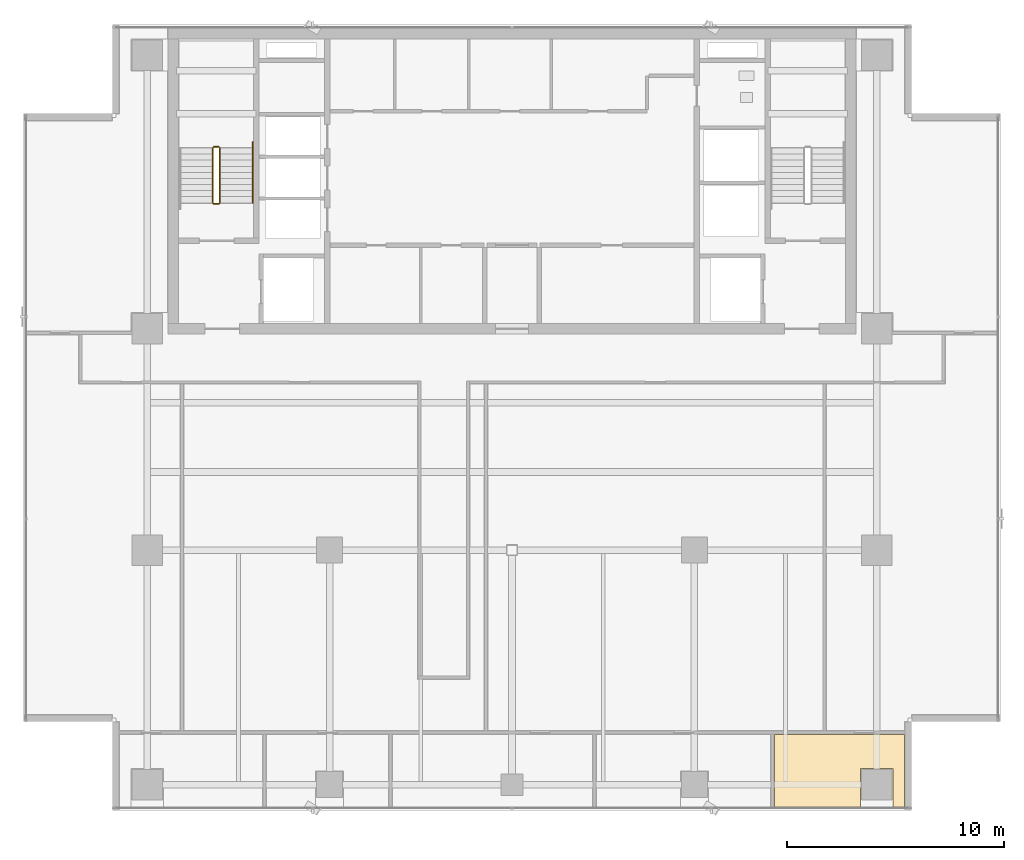
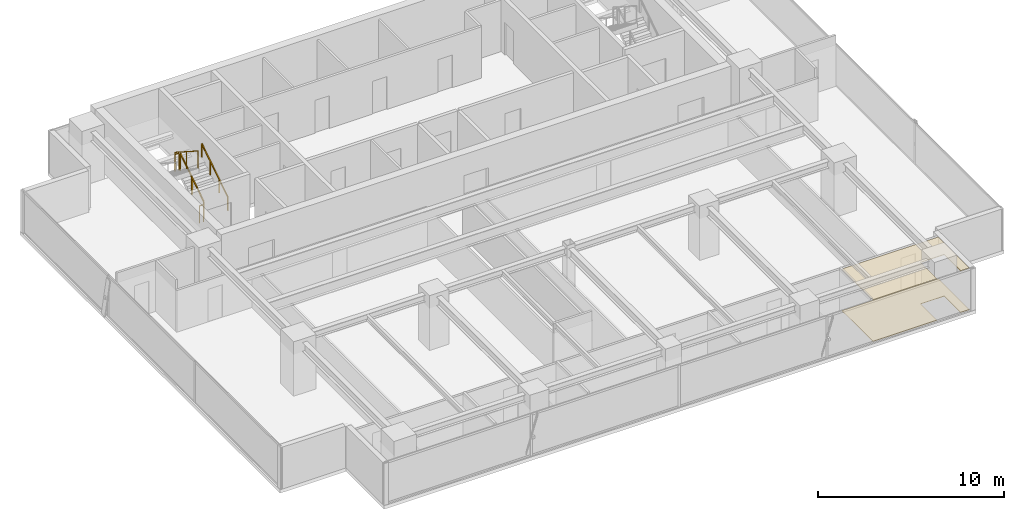
# One storey, part 23 of 26: 5 railings, 2 coverings.
"""IFC4 building model written with IfcOpenShell, lengths in metres."""

from ifc_helpers import new_model, si_unit, direction, frame, origin, origin_2d, place, context, subcontext, project, spatial, polyline, rectangle, outline, extrude, material, layer, layer_set, type_object, element, save


model = new_model("IFC4")

# Units and contexts
model_context = context("Model", 3, precision=1e-05, world=origin(), true_north=direction((0.0, 1.0)))
body_context = subcontext(model_context, "Body", "Model", "MODEL_VIEW")
ifc_project = project(units=[si_unit("LENGTHUNIT", "METRE"), si_unit("AREAUNIT", "SQUARE_METRE"), si_unit("VOLUMEUNIT", "CUBIC_METRE"), si_unit("PLANEANGLEUNIT", "RADIAN"), si_unit("MASSUNIT", "GRAM", prefix="KILO")], contexts=[model_context])

# Site, building, storey
site_placement = place(None, origin())
site = spatial("IfcSite", under=ifc_project, at=site_placement, CompositionType="ELEMENT")
building_placement = place(site_placement, origin())
building = spatial("IfcBuilding", under=site, at=building_placement, Name="Sumidabori Civic Tower", CompositionType="ELEMENT")
storey_placement = place(building_placement, frame((0.0, 0.0, 236.0)))
storey = spatial("IfcBuildingStorey", under=building, at=storey_placement, Name="L61", CompositionType="ELEMENT", Elevation=236.0)

# Coverings
ifc_material_1 = material(Name="Perforated Timber Acoustic Ceiling", Category="wood")
ifc_layer_1 = layer(ifc_material_1, 0.044921875, Name="Perforated Timber Acoustic Ceiling")
ifc_layer_set_1 = layer_set([ifc_layer_1], Name="Perforated Timber Acoustic Ceiling")
covering_type_1 = type_object("IfcCoveringType", Name="CV-CEIL-AC2", PredefinedType="CEILING", material=ifc_layer_set_1)
covering_1_placement = place(storey_placement, frame((0.0, 0.0, 2.719970703125)))
element("IfcCovering", 1, at=covering_1_placement, inside=storey, type_object=covering_type_1, Name="Room Acoustic Ceiling L61-09", PredefinedType="CEILING", context=body_context, shape_type="SweptSolid", body=[
    extrude(outline(polyline([(18.072021484375, -8.487548828125), (18.072021484375, -11.830078125), (17.5400390625, -11.830078125), (17.5400390625, -10.06005859375), (16.06005859375, -10.06005859375), (16.06005859375, -11.830078125), (12.08740234375, -11.830078125), (12.08740234375, -8.487548828125), (18.072021484375, -8.487548828125)])), origin(), (0.0, 0.0, 1.0), 0.044921875),
])
ifc_material_2 = material(Name="Honed Terrazzo Tile Flooring")
ifc_layer_2 = layer(ifc_material_2, 0.030029296875, Name="Honed Terrazzo Tile Flooring")
ifc_layer_set_2 = layer_set([ifc_layer_2], Name="Honed Terrazzo Tile Flooring")
covering_type_2 = type_object("IfcCoveringType", Name="CV-FLR-TER", PredefinedType="FLOORING", material=ifc_layer_set_2)
covering_2_placement = place(storey_placement, origin())
element("IfcCovering", 2, at=covering_2_placement, inside=storey, type_object=covering_type_2, Name="Room Terrazzo Floor L61-09", PredefinedType="FLOORING", context=body_context, shape_type="SweptSolid", body=[
    extrude(outline(polyline([(18.072021484375, -8.487548828125), (18.072021484375, -11.830078125), (17.5400390625, -11.830078125), (17.5400390625, -10.06005859375), (16.06005859375, -10.06005859375), (16.06005859375, -11.830078125), (12.08740234375, -11.830078125), (12.08740234375, -8.487548828125), (18.072021484375, -8.487548828125)])), origin(), (0.0, 0.0, 1.0), 0.030029296875),
])

# Railings
ifc_material_3 = material(Name="Stainless Steel Hairline Finish", Category="steel")
railing_type_1 = type_object("IfcRailingType", Name="RL-HANDRAIL", PredefinedType="HANDRAIL", material=ifc_material_3)
railing_1_placement = place(storey_placement, frame((-11.949951171875, 16.0, 0.179931640625)))
element("IfcRailing", 3, at=railing_1_placement, inside=storey, type_object=railing_type_1, Name="L61 ST-1 stair handrail 1", PredefinedType="HANDRAIL", context=body_context, shape_type="SweptSolid", body=[
    extrude(rectangle(XDim=0.048095703125, YDim=0.048095703125, at=origin_2d()), frame((0.0, 0.0, 0.8759765625), z_axis=(0.0, 0.84064222762, 0.54159084662), x_axis=(-1.0, 0.0, 0.0)), (0.0, 0.0, 1.0), 3.330810546875),
    extrude(rectangle(XDim=0.0419921875, YDim=0.0419921875, at=origin_2d()), origin(), (0.0, 0.0, 1.0), 0.851806640625),
    extrude(rectangle(XDim=0.0419921875, YDim=0.0419921875, at=origin_2d()), frame((0.0, 0.933349609375, 0.601318359375)), (0.0, 0.0, 1.0), 0.851806640625),
    extrude(rectangle(XDim=0.0419921875, YDim=0.0419921875, at=origin_2d()), frame((0.0, 1.86669921875, 1.20263671875)), (0.0, 0.0, 1.0), 0.851806640625),
    extrude(rectangle(XDim=0.0419921875, YDim=0.0419921875, at=origin_2d()), frame((0.0, 2.800048828125, 1.803955078125)), (0.0, 0.0, 1.0), 0.851806640625),
])
ifc_material_4 = material(Name="Steel SN490", Category="steel")
railing_type_2 = type_object("IfcRailingType", Name="RL-STAIR-GUARD", PredefinedType="GUARDRAIL", material=ifc_material_4)
railing_2_placement = place(storey_placement, frame((-13.449951171875, 16.0, 0.179931640625)))
element("IfcRailing", 4, at=railing_2_placement, inside=storey, type_object=railing_type_2, Name="L61 ST-1 stair guard 1", PredefinedType="GUARDRAIL", context=body_context, shape_type="SweptSolid", body=[
    extrude(rectangle(XDim=0.048095703125, YDim=0.048095703125, at=origin_2d()), frame((0.0, 0.0, 1.1259765625), z_axis=(0.0, 0.841162588446, 0.540782303519), x_axis=(-1.0, 0.0, 0.0)), (0.0, 0.0, 1.0), 2.995849609375),
    extrude(rectangle(XDim=0.0419921875, YDim=0.0419921875, at=origin_2d()), origin(), (0.0, 0.0, 1.0), 1.101806640625),
    extrude(rectangle(XDim=0.0419921875, YDim=0.0419921875, at=origin_2d()), frame((0.0, 1.260009765625, 0.81005859375)), (0.0, 0.0, 1.0), 1.101806640625),
    extrude(rectangle(XDim=0.0419921875, YDim=0.0419921875, at=origin_2d()), frame((0.0, 2.52001953125, 1.6201171875)), (0.0, 0.0, 1.0), 1.101806640625),
])
railing_3_placement = place(storey_placement, frame((-13.5, 18.570068359375, 1.800048828125)))
element("IfcRailing", 5, at=railing_3_placement, inside=storey, type_object=railing_type_2, Name="L61 ST-1 stair guard 2", PredefinedType="GUARDRAIL", context=body_context, shape_type="SweptSolid", body=[
    extrude(rectangle(XDim=0.048095703125, YDim=0.048095703125, at=origin_2d()), frame((0.0, 0.0, 1.1259765625), z_axis=(-1.0, 0.0, 0.0), x_axis=(0.0, -1.0, 0.0)), (0.0, 0.0, 1.0), 0.239990234375),
    extrude(rectangle(XDim=0.0419921875, YDim=0.0419921875, at=origin_2d()), origin(), (0.0, 0.0, 1.0), 1.101806640625),
    extrude(rectangle(XDim=0.0419921875, YDim=0.0419921875, at=origin_2d()), frame((-0.239990234375, 0.0, 0.0)), (0.0, 0.0, 1.0), 1.101806640625),
])
railing_4_placement = place(storey_placement, frame((-13.7900390625, 18.52001953125, 1.97998046875)))
element("IfcRailing", 6, at=railing_4_placement, inside=storey, type_object=railing_type_2, Name="L61 ST-1 stair guard 3", PredefinedType="GUARDRAIL", context=body_context, shape_type="SweptSolid", body=[
    extrude(rectangle(XDim=0.048095703125, YDim=0.048095703125, at=origin_2d()), frame((0.0, 0.0, 1.1259765625), z_axis=(0.0, -0.841162588446, 0.540782303519), x_axis=(1.0, 0.0, 0.0)), (0.0, 0.0, 1.0), 2.995849609375),
    extrude(rectangle(XDim=0.0419921875, YDim=0.0419921875, at=origin_2d()), origin(), (0.0, 0.0, 1.0), 1.101806640625),
    extrude(rectangle(XDim=0.0419921875, YDim=0.0419921875, at=origin_2d()), frame((0.0, -1.260009765625, 0.81005859375)), (0.0, 0.0, 1.0), 1.101806640625),
    extrude(rectangle(XDim=0.0419921875, YDim=0.0419921875, at=origin_2d()), frame((0.0, -2.52001953125, 1.6201171875)), (0.0, 0.0, 1.0), 1.101806640625),
])
railing_5_placement = place(storey_placement, frame((-13.5, 15.949951171875, 0.0)))
element("IfcRailing", 7, at=railing_5_placement, inside=storey, type_object=railing_type_2, Name="L61 ST-1 stair guard 4", PredefinedType="GUARDRAIL", context=body_context, shape_type="SweptSolid", body=[
    extrude(rectangle(XDim=0.048095703125, YDim=0.048095703125, at=origin_2d()), frame((0.0, 0.0, 1.1259765625), z_axis=(-1.0, 0.0, 0.0), x_axis=(0.0, -1.0, 0.0)), (0.0, 0.0, 1.0), 0.239990234375),
    extrude(rectangle(XDim=0.0419921875, YDim=0.0419921875, at=origin_2d()), origin(), (0.0, 0.0, 1.0), 1.101806640625),
    extrude(rectangle(XDim=0.0419921875, YDim=0.0419921875, at=origin_2d()), frame((-0.239990234375, 0.0, 0.0)), (0.0, 0.0, 1.0), 1.101806640625),
])

save(model, "model.ifc")
